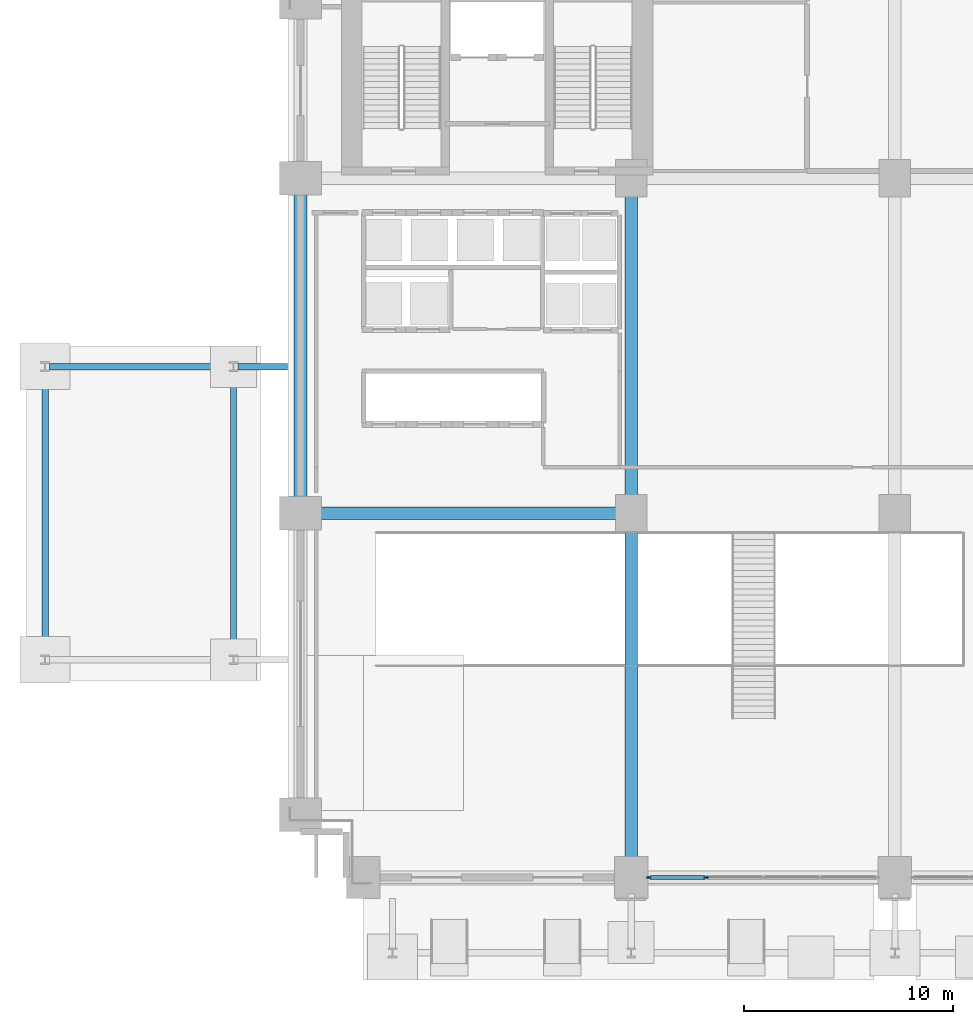
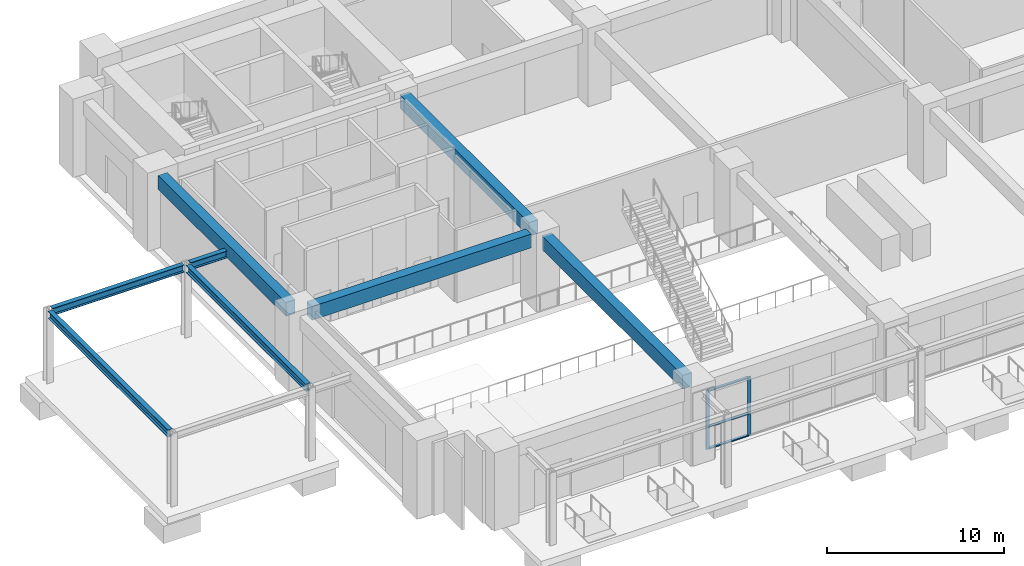
# One storey, part 2 of 14: 8 beams, 5 members, 1 element without a shape of its own.
"""IFC4 building model written with IfcOpenShell, lengths in metres."""

from ifc_helpers import new_model, si_unit, direction, frame, origin, origin_2d, place, context, subcontext, project, spatial, rectangle, i_section, extrude, material, layer, layer_set, material_profile, profile_set, type_object, element, aggregate, save


model = new_model("IFC4")

# Units and contexts
model_context = context("Model", 3, precision=1e-05, world=origin(), true_north=direction((0.0, 1.0)))
body_context = subcontext(model_context, "Body", "Model", "MODEL_VIEW")
ifc_project = project(units=[si_unit("LENGTHUNIT", "METRE"), si_unit("AREAUNIT", "SQUARE_METRE"), si_unit("VOLUMEUNIT", "CUBIC_METRE"), si_unit("PLANEANGLEUNIT", "RADIAN"), si_unit("MASSUNIT", "GRAM", prefix="KILO")], contexts=[model_context])

# Site, building, storey
site_placement = place(None, origin())
site = spatial("IfcSite", under=ifc_project, at=site_placement, CompositionType="ELEMENT")
building_placement = place(site_placement, origin())
building = spatial("IfcBuilding", under=site, at=building_placement, Name="Sulina Concourse Tower", CompositionType="ELEMENT")
storey_placement = place(building_placement, origin())
storey = spatial("IfcBuildingStorey", under=building, at=storey_placement, Name="L00", CompositionType="ELEMENT", Elevation=0.0)

# Beams
ifc_material_1 = material(Name="Concrete C60/75", Category="concrete")
ifc_material_profile_1 = material_profile(ifc_material_1, rectangle(XDim=0.60009765625, YDim=0.949951171875, at=origin_2d()), Name="RC 600x950")
ifc_profile_set_1 = profile_set([ifc_material_profile_1], Name="Concrete C60/75")
beam_type_1 = type_object("IfcBeamType", Name="Basement & Podium Primary Beam 600x950", PredefinedType="BEAM", material=ifc_profile_set_1)
beam_1_placement = place(storey_placement, frame((1.3798828125, 18.0, 4.52490234375), z_axis=(1.0, 0.0, 0.0), x_axis=(0.0, 1.0, 0.0)))
element("IfcBeam", 1, at=beam_1_placement, inside=storey, type_object=beam_type_1, Name="PB-M0-L00", PredefinedType="BEAM", context=body_context, shape_type="SweptSolid", body=[
    extrude(rectangle(XDim=0.60009765625, YDim=0.949951171875, at=origin_2d()), origin(), (0.0, 0.0, 1.0), 14.2900390625),
])
beam_2_placement = place(storey_placement, frame((0.60009765625, 18.780029296875, 4.52490234375), z_axis=(0.0, 1.0, 0.0), x_axis=(-1.0, 0.0, 0.0)))
element("IfcBeam", 2, at=beam_2_placement, inside=storey, type_object=beam_type_1, Name="PB-W2-L00", PredefinedType="BEAM", context=body_context, shape_type="SweptSolid", body=[
    extrude(rectangle(XDim=0.60009765625, YDim=0.949951171875, at=origin_2d()), origin(), (0.0, 0.0, 1.0), 14.43994140625),
])
beam_3_placement = place(storey_placement, frame((16.39990234375, 1.3798828125, 4.52490234375), z_axis=(0.0, 1.0, 0.0), x_axis=(-1.0, 0.0, 0.0)))
element("IfcBeam", 3, at=beam_3_placement, inside=storey, type_object=beam_type_1, Name="PB-NS1A-L00", PredefinedType="BEAM", context=body_context, shape_type="SweptSolid", body=[
    extrude(rectangle(XDim=0.60009765625, YDim=0.949951171875, at=origin_2d()), origin(), (0.0, 0.0, 1.0), 15.89013671875),
])
beam_4_placement = place(storey_placement, frame((16.39990234375, 18.72998046875, 4.52490234375), z_axis=(0.0, 1.0, 0.0), x_axis=(-1.0, 0.0, 0.0)))
element("IfcBeam", 4, at=beam_4_placement, inside=storey, type_object=beam_type_1, Name="PB-NS1B-L00", PredefinedType="BEAM", context=body_context, shape_type="SweptSolid", body=[
    extrude(rectangle(XDim=0.60009765625, YDim=0.949951171875, at=origin_2d()), origin(), (0.0, 0.0, 1.0), 14.5400390625),
])
ifc_material_2 = material(Name="Steel S355", Category="steel")
ifc_material_profile_2 = material_profile(ifc_material_2, i_section(OverallWidth=0.300048828125, OverallDepth=0.5, WebThickness=0.014404296875, FlangeThickness=0.028076171875, at=origin_2d()), Name="HE 500 B")
ifc_profile_set_2 = profile_set([ifc_material_profile_2], Name="Steel S355")
beam_type_2 = type_object("IfcBeamType", Name="Crown & Canopy Primary Girder HE500B", PredefinedType="BEAM", material=ifc_profile_set_2)
beam_5_placement = place(storey_placement, frame((-11.389892578125, 25.0, 4.75), z_axis=(1.0, 0.0, 0.0), x_axis=(0.0, 1.0, 0.0)))
element("IfcBeam", 5, at=beam_5_placement, inside=storey, type_object=beam_type_2, Name="CN-WG1-2-L00", PredefinedType="BEAM", context=body_context, shape_type="SweptSolid", body=[
    extrude(i_section(OverallWidth=0.300048828125, OverallDepth=0.5, WebThickness=0.014404296875, FlangeThickness=0.028076171875, at=origin_2d()), origin(), (0.0, 0.0, 1.0), 8.579833984375),
])
beam_6_placement = place(storey_placement, frame((-2.389892578125, 25.0, 4.75), z_axis=(1.0, 0.0, 0.0), x_axis=(0.0, 1.0, 0.0)))
element("IfcBeam", 6, at=beam_6_placement, inside=storey, type_object=beam_type_2, Name="CN-WG2-2-L00", PredefinedType="BEAM", context=body_context, shape_type="SweptSolid", body=[
    extrude(i_section(OverallWidth=0.300048828125, OverallDepth=0.5, WebThickness=0.014404296875, FlangeThickness=0.028076171875, at=origin_2d()), origin(), (0.0, 0.0, 1.0), 2.369873046875),
])
for number, where, z_axis, x_axis, name in (
    (7, (-11.60009765625, 11.239990234375, 4.75), (0.0, 1.0, 0.0), (-1.0, 0.0, 0.0), "CN-PT-1-L00"),
    (8, (-2.60009765625, 11.239990234375, 4.75), (0.0, 1.0, 0.0), (-1.0, 0.0, 0.0), "CN-PT-2-L00"),
):
    element("IfcBeam", number, at=place(storey_placement, frame(where, z_axis=z_axis, x_axis=x_axis)), inside=storey, type_object=beam_type_2, Name=name, PredefinedType="BEAM", context=body_context, shape_type="SweptSolid", body=[
        extrude(i_section(OverallWidth=0.300048828125, OverallDepth=0.5, WebThickness=0.014404296875, FlangeThickness=0.028076171875, at=origin_2d()), origin(), (0.0, 0.0, 1.0), 13.52001953125),
    ])

# Curtain wall, members
ifc_material_3 = material(Name="Anodised bronze aluminium", Category="aluminium")
ifc_layer = layer(ifc_material_3, 0.239990234375)
ifc_layer_set = layer_set([ifc_layer], Name="Anodised bronze aluminium")
curtain_wall_type = type_object("IfcCurtainWallType", Name="Station Concourse Curtain Wall System", PredefinedType="NOTDEFINED", material=ifc_layer_set)
curtain_wall_placement = place(storey_placement, origin())
curtain_wall = element("IfcCurtainWall", 9, at=curtain_wall_placement, inside=storey, type_object=curtain_wall_type, Name="L00 glazed curtain wall S2", PredefinedType="NOTDEFINED")
ifc_material_4 = material(Name="Anodised bronze aluminium", Category="aluminium")
ifc_material_profile_3 = material_profile(ifc_material_4, rectangle(XDim=0.074951171875, YDim=0.219970703125, at=origin_2d()), Name="MUL 75x220")
ifc_profile_set_3 = profile_set([ifc_material_profile_3], Name="Anodised bronze aluminium")
member_type_1 = type_object("IfcMemberType", Name="Station Concourse Curtain Wall System Mullion 75x220", PredefinedType="MULLION", material=ifc_profile_set_3)
member_1_placement = place(storey_placement, frame((19.9599609375, 0.60009765625, 0.0), z_axis=(0.0, 0.0, 1.0), x_axis=(0.0, -1.0, 0.0)))
member_1 = element("IfcMember", 10, at=member_1_placement, type_object=member_type_1, Name="CW-01 mullion 4", PredefinedType="MULLION", context=body_context, shape_type="SweptSolid", body=[
    extrude(rectangle(XDim=0.074951171875, YDim=0.219970703125, at=origin_2d()), origin(), (0.0, 0.0, 1.0), 4.050048828125),
])
member_2_placement = place(storey_placement, frame((17.257568359375, 0.60009765625, 0.0), z_axis=(0.0, 0.0, 1.0), x_axis=(0.0, -1.0, 0.0)))
member_2 = element("IfcMember", 11, at=member_2_placement, type_object=member_type_1, Name="CW-01 mullion 5", PredefinedType="MULLION", context=body_context, shape_type="SweptSolid", body=[
    extrude(rectangle(XDim=0.074951171875, YDim=0.219970703125, at=origin_2d()), origin(), (0.0, 0.0, 1.0), 4.050048828125),
])
ifc_material_5 = material(Name="Anodised bronze aluminium", Category="aluminium")
ifc_material_profile_4 = material_profile(ifc_material_5, rectangle(XDim=0.179931640625, YDim=0.074951171875, at=origin_2d()), Name="TRN 75x180")
ifc_profile_set_4 = profile_set([ifc_material_profile_4], Name="Anodised bronze aluminium")
member_type_2 = type_object("IfcMemberType", Name="Station Concourse Curtain Wall System Transom 75x180", PredefinedType="USERDEFINED", material=ifc_profile_set_4)
member_3_placement = place(storey_placement, frame((19.922607421875, 0.60009765625, 0.03759765625), z_axis=(-1.0, 0.0, 0.0), x_axis=(0.0, -1.0, 0.0)))
member_3 = element("IfcMember", 12, at=member_3_placement, type_object=member_type_2, Name="CW-01 transom 4.1", ObjectType="TRANSOM", PredefinedType="USERDEFINED", context=body_context, shape_type="SweptSolid", body=[
    extrude(rectangle(XDim=0.179931640625, YDim=0.074951171875, at=origin_2d()), origin(), (0.0, 0.0, 1.0), 2.627685546875),
])
member_4_placement = place(storey_placement, frame((19.922607421875, 0.60009765625, 1.5390625), z_axis=(-1.0, 0.0, 0.0), x_axis=(0.0, -1.0, 0.0)))
member_4 = element("IfcMember", 13, at=member_4_placement, type_object=member_type_2, Name="CW-01 transom 4.2", ObjectType="TRANSOM", PredefinedType="USERDEFINED", context=body_context, shape_type="SweptSolid", body=[
    extrude(rectangle(XDim=0.179931640625, YDim=0.074951171875, at=origin_2d()), origin(), (0.0, 0.0, 1.0), 2.627685546875),
])
member_5_placement = place(storey_placement, frame((19.922607421875, 0.60009765625, 4.012451171875), z_axis=(-1.0, 0.0, 0.0), x_axis=(0.0, -1.0, 0.0)))
member_5 = element("IfcMember", 14, at=member_5_placement, type_object=member_type_2, Name="CW-01 transom 4.3", ObjectType="TRANSOM", PredefinedType="USERDEFINED", context=body_context, shape_type="SweptSolid", body=[
    extrude(rectangle(XDim=0.179931640625, YDim=0.074951171875, at=origin_2d()), origin(), (0.0, 0.0, 1.0), 2.627685546875),
])
aggregate(curtain_wall, [member_1, member_2, member_3, member_4, member_5])

save(model, "model.ifc")
